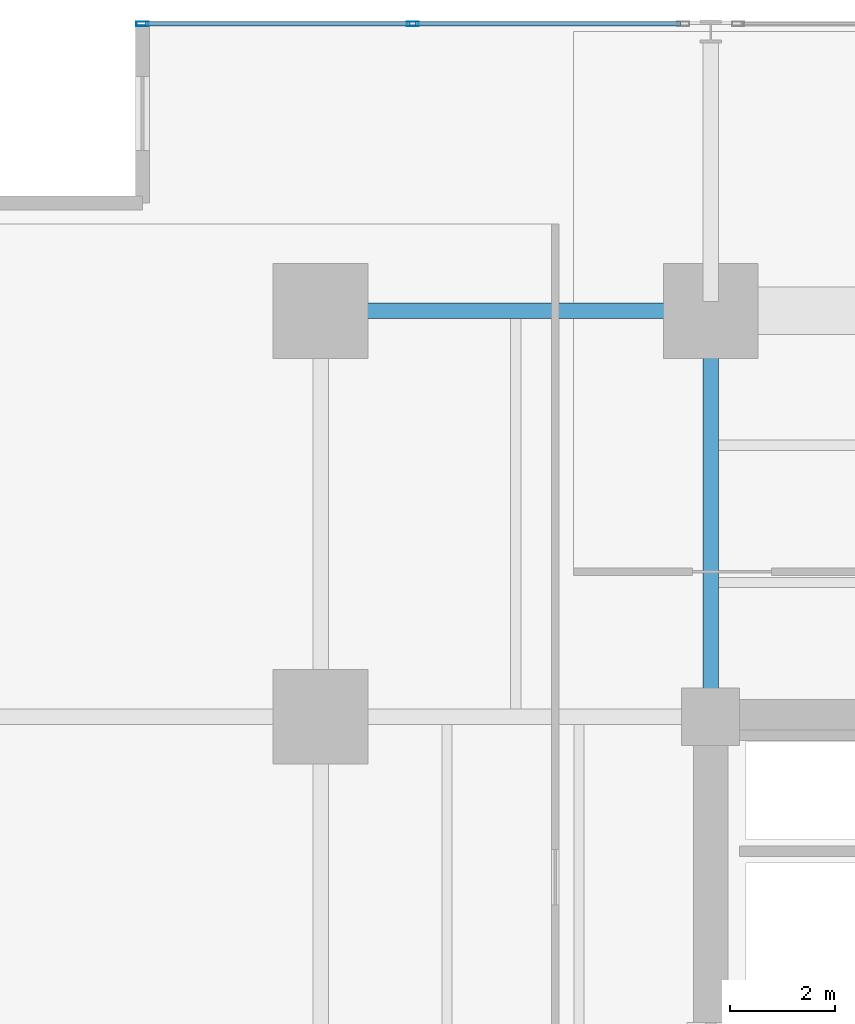
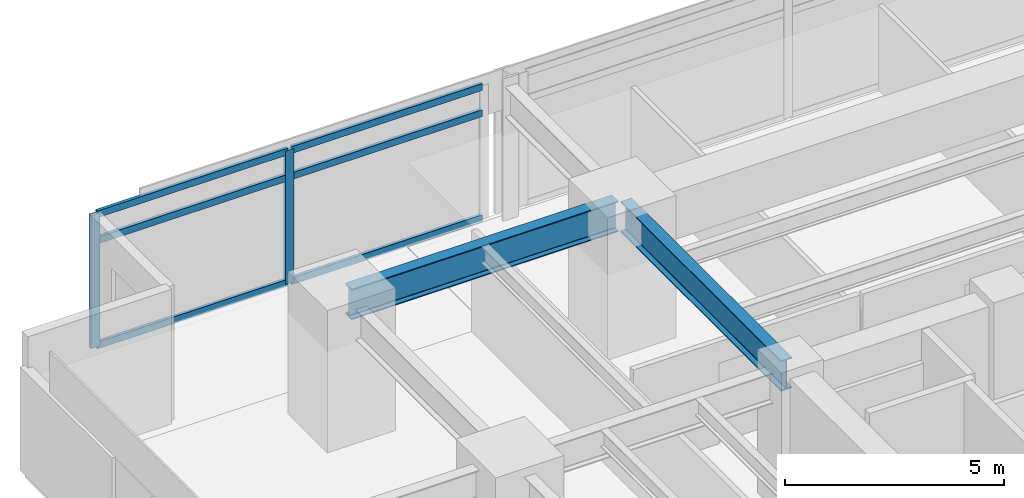
# One storey, part 6 of 22: 8 members, 2 beams, 1 element without a shape of its own.
"""IFC4 building model written with IfcOpenShell, lengths in metres."""

from ifc_helpers import new_model, si_unit, direction, frame, origin, origin_2d, place, context, subcontext, project, spatial, hollow_rectangle, i_section, extrude, material, material_profile, profile_set, type_object, element, aggregate, save


model = new_model("IFC4")

# Units and contexts
model_context = context("Model", 3, precision=1e-05, world=origin(), true_north=direction((0.0, 1.0)))
body_context = subcontext(model_context, "Body", "Model", "MODEL_VIEW")
ifc_project = project(units=[si_unit("LENGTHUNIT", "METRE"), si_unit("AREAUNIT", "SQUARE_METRE"), si_unit("VOLUMEUNIT", "CUBIC_METRE"), si_unit("PLANEANGLEUNIT", "RADIAN"), si_unit("MASSUNIT", "GRAM", prefix="KILO")], contexts=[model_context])

# Site, building, storey
site_placement = place(None, origin())
site = spatial("IfcSite", under=ifc_project, at=site_placement, CompositionType="ELEMENT")
building_placement = place(site_placement, origin())
building = spatial("IfcBuilding", under=site, at=building_placement, Name="Kovane Verandah Tower", CompositionType="ELEMENT")
storey_placement = place(building_placement, frame((0.0, 0.0, 51.60009765625)))
storey = spatial("IfcBuildingStorey", under=building, at=storey_placement, Name="L11", CompositionType="ELEMENT", Elevation=51.60009765625)

# Beams
ifc_material_1 = material(Name="Steel S355", Category="steel")
ifc_material_profile_1 = material_profile(ifc_material_1, i_section(OverallWidth=0.293701171875, OverallDepth=0.850830078125, WebThickness=0.01611328125, FlangeThickness=0.02685546875, FilletRadius=0.017822265625, at=origin_2d()), Name="UB838x292x226")
ifc_profile_set_1 = profile_set([ifc_material_profile_1], Name="Steel S355")
beam_type = type_object("IfcBeamType", Name="BM-UB838x226", PredefinedType="BEAM", material=ifc_profile_set_1)
beam_1_placement = place(storey_placement, frame((21.780029296875, 44.199951171875, 3.33447265625), z_axis=(1.0, 0.0, 0.0), x_axis=(0.0, 1.0, 0.0)))
element("IfcBeam", 1, at=beam_1_placement, inside=storey, type_object=beam_type, Name="L11 Primary Tower Girder G-RN1", PredefinedType="BEAM", context=body_context, shape_type="SweptSolid", body=[
    extrude(i_section(OverallWidth=0.293701171875, OverallDepth=0.850830078125, WebThickness=0.01611328125, FlangeThickness=0.02685546875, FilletRadius=0.017822265625, at=origin_2d()), origin(), (0.0, 0.0, 1.0), 7.0400390625),
])
beam_2_placement = place(storey_placement, frame((29.0, 36.679931640625, 3.33447265625), z_axis=(0.0, 1.0, 0.0), x_axis=(-1.0, 0.0, 0.0)))
element("IfcBeam", 2, at=beam_2_placement, inside=storey, type_object=beam_type, Name="L11 Primary Tower Girder G-N1", PredefinedType="BEAM", context=body_context, shape_type="SweptSolid", body=[
    extrude(i_section(OverallWidth=0.293701171875, OverallDepth=0.850830078125, WebThickness=0.01611328125, FlangeThickness=0.02685546875, FilletRadius=0.017822265625, at=origin_2d()), origin(), (0.0, 0.0, 1.0), 7.340087890625),
])

# Curtain wall, members
ifc_material_2 = material(Name="Champagne Anodised Aluminium Frame with Low-E Clear Laminated Glass", Category="aluminium")
curtain_wall_type = type_object("IfcCurtainWallType", Name="CW-SYS-02-LOW", PredefinedType="NOTDEFINED", material=ifc_material_2)
curtain_wall_placement = place(storey_placement, origin())
curtain_wall = element("IfcCurtainWall", 3, at=curtain_wall_placement, inside=storey, type_object=curtain_wall_type, Name="L11 N Unitised Curtain Wall-3", PredefinedType="NOTDEFINED")
ifc_material_3 = material(Name="Champagne Anodised Aluminium 6063-T6", Category="aluminium")
ifc_material_profile_2 = material_profile(ifc_material_3, hollow_rectangle(XDim=0.0849609375, YDim=0.22998046875, WallThickness=0.00390625, at=origin_2d()), Name="AL85x230x4")
ifc_profile_set_2 = profile_set([ifc_material_profile_2], Name="Champagne Anodised Aluminium 6063-T6")
member_type_1 = type_object("IfcMemberType", Name="CW-MUL-85x230", PredefinedType="MULLION", material=ifc_profile_set_2)
member_1_placement = place(storey_placement, frame((23.349853515625, 49.646240234375, 0.02001953125), z_axis=(0.0, 0.0, 1.0), x_axis=(0.0, 1.0, 0.0)))
member_1 = element("IfcMember", 4, at=member_1_placement, type_object=member_type_1, Name="L11 N Unitised Curtain Wall-3 Mullion 2", PredefinedType="MULLION", context=body_context, shape_type="SweptSolid", body=[
    extrude(hollow_rectangle(XDim=0.0849609375, YDim=0.22998046875, WallThickness=0.00390625, at=origin_2d()), origin(), (0.0, 0.0, 1.0), 3.719970703125),
])
member_2_placement = place(storey_placement, frame((18.2197265625, 49.646240234375, 0.02001953125), z_axis=(0.0, 0.0, 1.0), x_axis=(0.0, 1.0, 0.0)))
member_2 = element("IfcMember", 5, at=member_2_placement, type_object=member_type_1, Name="L11 N Unitised Curtain Wall-3 Mullion 3", PredefinedType="MULLION", context=body_context, shape_type="SweptSolid", body=[
    extrude(hollow_rectangle(XDim=0.0849609375, YDim=0.22998046875, WallThickness=0.00390625, at=origin_2d()), origin(), (0.0, 0.0, 1.0), 3.719970703125),
])
ifc_material_profile_3 = material_profile(ifc_material_3, hollow_rectangle(XDim=0.0849609375, YDim=0.18994140625, WallThickness=0.00390625, at=origin_2d()), Name="AL85x190x4")
ifc_profile_set_3 = profile_set([ifc_material_profile_3], Name="Champagne Anodised Aluminium 6063-T6")
member_type_2 = type_object("IfcMemberType", Name="CW-TRN-85x190", PredefinedType="USERDEFINED", material=ifc_profile_set_3)
member_3_placement = place(storey_placement, frame((28.429931640625, 49.646240234375, 0.0498046875), z_axis=(-1.0, 0.0, 0.0), x_axis=(0.0, -1.0, 0.0)))
member_3 = element("IfcMember", 6, at=member_3_placement, type_object=member_type_2, Name="L11 N Unitised Curtain Wall-3 Transom TB Bay 1", ObjectType="TRANSOM", PredefinedType="USERDEFINED", context=body_context, shape_type="SweptSolid", body=[
    extrude(hollow_rectangle(XDim=0.0849609375, YDim=0.18994140625, WallThickness=0.00390625, at=origin_2d()), origin(), (0.0, 0.0, 1.0), 5.030029296875),
])
member_4_placement = place(storey_placement, frame((28.429931640625, 49.646240234375, 2.97998046875), z_axis=(-1.0, 0.0, 0.0), x_axis=(0.0, -1.0, 0.0)))
member_4 = element("IfcMember", 7, at=member_4_placement, type_object=member_type_2, Name="L11 N Unitised Curtain Wall-3 Transom TM Bay 1", ObjectType="TRANSOM", PredefinedType="USERDEFINED", context=body_context, shape_type="SweptSolid", body=[
    extrude(hollow_rectangle(XDim=0.0849609375, YDim=0.18994140625, WallThickness=0.00390625, at=origin_2d()), origin(), (0.0, 0.0, 1.0), 5.030029296875),
])
member_5_placement = place(storey_placement, frame((28.429931640625, 49.646240234375, 3.7099609375), z_axis=(-1.0, 0.0, 0.0), x_axis=(0.0, -1.0, 0.0)))
member_5 = element("IfcMember", 8, at=member_5_placement, type_object=member_type_2, Name="L11 N Unitised Curtain Wall-3 Transom TT Bay 1", ObjectType="TRANSOM", PredefinedType="USERDEFINED", context=body_context, shape_type="SweptSolid", body=[
    extrude(hollow_rectangle(XDim=0.0849609375, YDim=0.18994140625, WallThickness=0.00390625, at=origin_2d()), origin(), (0.0, 0.0, 1.0), 5.030029296875),
])
member_6_placement = place(storey_placement, frame((23.2998046875, 49.646240234375, 0.0498046875), z_axis=(-1.0, 0.0, 0.0), x_axis=(0.0, -1.0, 0.0)))
member_6 = element("IfcMember", 9, at=member_6_placement, type_object=member_type_2, Name="L11 N Unitised Curtain Wall-3 Transom TB Bay 2", ObjectType="TRANSOM", PredefinedType="USERDEFINED", context=body_context, shape_type="SweptSolid", body=[
    extrude(hollow_rectangle(XDim=0.0849609375, YDim=0.18994140625, WallThickness=0.00390625, at=origin_2d()), origin(), (0.0, 0.0, 1.0), 5.030029296875),
])
member_7_placement = place(storey_placement, frame((23.2998046875, 49.646240234375, 2.97998046875), z_axis=(-1.0, 0.0, 0.0), x_axis=(0.0, -1.0, 0.0)))
member_7 = element("IfcMember", 10, at=member_7_placement, type_object=member_type_2, Name="L11 N Unitised Curtain Wall-3 Transom TM Bay 2", ObjectType="TRANSOM", PredefinedType="USERDEFINED", context=body_context, shape_type="SweptSolid", body=[
    extrude(hollow_rectangle(XDim=0.0849609375, YDim=0.18994140625, WallThickness=0.00390625, at=origin_2d()), origin(), (0.0, 0.0, 1.0), 5.030029296875),
])
member_8_placement = place(storey_placement, frame((23.2998046875, 49.646240234375, 3.7099609375), z_axis=(-1.0, 0.0, 0.0), x_axis=(0.0, -1.0, 0.0)))
member_8 = element("IfcMember", 11, at=member_8_placement, type_object=member_type_2, Name="L11 N Unitised Curtain Wall-3 Transom TT Bay 2", ObjectType="TRANSOM", PredefinedType="USERDEFINED", context=body_context, shape_type="SweptSolid", body=[
    extrude(hollow_rectangle(XDim=0.0849609375, YDim=0.18994140625, WallThickness=0.00390625, at=origin_2d()), origin(), (0.0, 0.0, 1.0), 5.030029296875),
])
aggregate(curtain_wall, [member_1, member_2, member_3, member_4, member_5, member_6, member_7, member_8])

save(model, "model.ifc")
